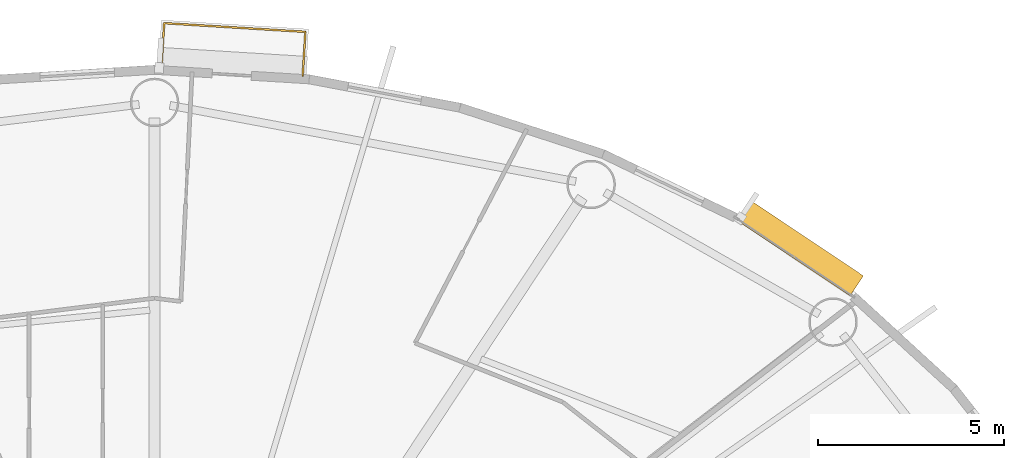
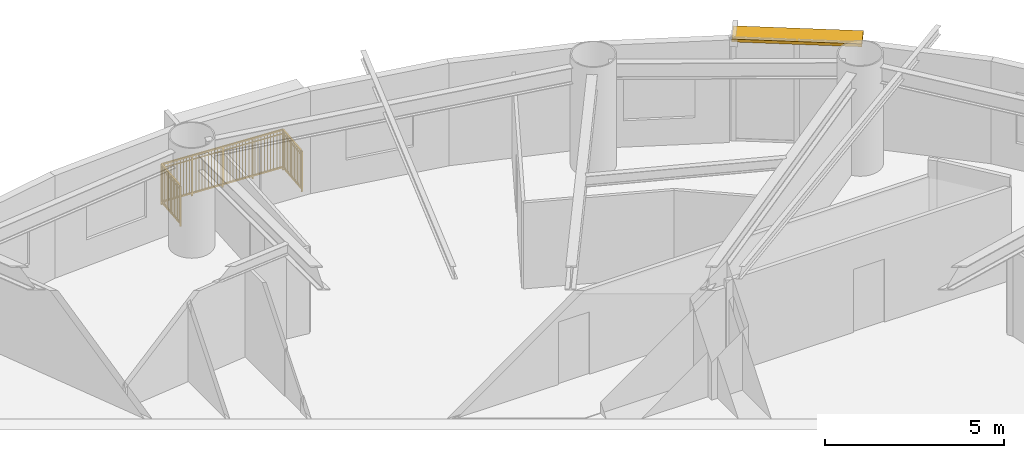
# One storey, part 18 of 18: 1 railing, 1 shading device.
"""IFC4 building model written with IfcOpenShell, lengths in metres."""

from ifc_helpers import new_model, si_unit, direction, frame, origin, origin_2d, place, context, subcontext, project, spatial, rectangle, extrude, source, transform, mapped, material, layer, layer_set, type_object, element, save


model = new_model("IFC4")

# Units and contexts
model_context = context("Model", 3, precision=1e-05, world=origin(), true_north=direction((0.0, 1.0)))
body_context = subcontext(model_context, "Body", "Model", "MODEL_VIEW")
ifc_project = project(units=[si_unit("LENGTHUNIT", "METRE"), si_unit("AREAUNIT", "SQUARE_METRE"), si_unit("VOLUMEUNIT", "CUBIC_METRE"), si_unit("PLANEANGLEUNIT", "RADIAN"), si_unit("MASSUNIT", "GRAM", prefix="KILO")], contexts=[model_context])

# Site, building, storey
site_placement = place(None, origin())
site = spatial("IfcSite", under=ifc_project, at=site_placement, CompositionType="ELEMENT")
building_placement = place(site_placement, origin())
building = spatial("IfcBuilding", under=site, at=building_placement, Name="Linh Dai School and Residence Tower", CompositionType="ELEMENT")
storey_placement = place(building_placement, frame((0.0, 0.0, 186.14990234375)))
storey = spatial("IfcBuildingStorey", under=building, at=storey_placement, Name="L45", CompositionType="ELEMENT", Elevation=186.14990234375)

# Shading device
ifc_material_1 = material(Name="Terracotta Ceramic Sunshade", Category="masonry")
ifc_layer = layer(ifc_material_1, 0.10009765625)
ifc_layer_set = layer_set([ifc_layer], Name="Terracotta Ceramic Sunshade")
shading_device_type = type_object("IfcShadingDeviceType", Name="SHD-TC-650", PredefinedType="USERDEFINED", material=ifc_layer_set)
shared_shape_1 = source(origin(), body_context, "Body", "SweptSolid", [
    extrude(rectangle(XDim=3.64794921875, YDim=0.64990234375, at=origin_2d()), origin(), (0.0, 0.0, 1.0), 0.10009765625),
])
shading_device_placement = place(storey_placement, frame((53.31103515625, 42.923828125, 3.380126953125), z_axis=(0.0, 0.0, 1.0), x_axis=(0.831228338651, -0.555931154932, 0.0)))
element("IfcShadingDevice", 1, at=shading_device_placement, inside=storey, type_object=shading_device_type, Name="L45 Terracotta Horizontal Sunshade Band 06", ObjectType="SUNSHADE", PredefinedType="USERDEFINED", context=body_context, shape_type="MappedRepresentation", body=[
    mapped(shared_shape_1, transform((0.0, 0.0, 0.0), x_axis=(1.0, 0.0, 0.0), y_axis=(0.0, 1.0, 0.0), z_axis=(0.0, 0.0, 1.0), scale=1.0)),
])

# Railing
ifc_material_2 = material(Name="Structural Steel S355JR", Category="steel")
railing_type = type_object("IfcRailingType", Name="RL-BAL-1400", PredefinedType="BALUSTRADE", material=ifc_material_2)
shared_shape_2 = source(origin(), body_context, "Body", "SweptSolid", [
    extrude(rectangle(XDim=0.048095703125, YDim=0.048095703125, at=origin_2d()), frame((0.0, 0.0, 1.3759765625), z_axis=(0.061656929038, 0.99809740161, 0.0), x_axis=(-0.99809740161, 0.061656929038, 0.0)), (0.0, 0.0, 1.0), 1.179931640625),
    extrude(rectangle(XDim=0.048095703125, YDim=0.048095703125, at=origin_2d()), frame((0.0, 0.0, 0.10009765625), z_axis=(0.061656929038, 0.99809740161, 0.0), x_axis=(-0.99809740161, 0.061656929038, 0.0)), (0.0, 0.0, 1.0), 1.179931640625),
    extrude(rectangle(XDim=0.030029296875, YDim=0.030029296875, at=origin_2d()), frame((0.0, 0.0, 1.239990234375), z_axis=(0.061656929038, 0.99809740161, 0.0), x_axis=(-0.99809740161, 0.061656929038, 0.0)), (0.0, 0.0, 1.0), 1.179931640625),
    extrude(rectangle(XDim=0.02001953125, YDim=0.02001953125, at=origin_2d()), frame((0.005615234375, 0.090576171875, 0.10009765625)), (0.0, 0.0, 1.0), 1.251708984375),
    extrude(rectangle(XDim=0.02001953125, YDim=0.02001953125, at=origin_2d()), frame((0.01123046875, 0.18115234375, 0.10009765625)), (0.0, 0.0, 1.0), 1.251708984375),
    extrude(rectangle(XDim=0.02001953125, YDim=0.02001953125, at=origin_2d()), frame((0.016845703125, 0.271728515625, 0.10009765625)), (0.0, 0.0, 1.0), 1.251708984375),
    extrude(rectangle(XDim=0.02001953125, YDim=0.02001953125, at=origin_2d()), frame((0.0224609375, 0.3623046875, 0.10009765625)), (0.0, 0.0, 1.0), 1.251708984375),
    extrude(rectangle(XDim=0.02001953125, YDim=0.02001953125, at=origin_2d()), frame((0.028076171875, 0.452880859375, 0.10009765625)), (0.0, 0.0, 1.0), 1.251708984375),
    extrude(rectangle(XDim=0.02001953125, YDim=0.02001953125, at=origin_2d()), frame((0.03369140625, 0.54345703125, 0.10009765625)), (0.0, 0.0, 1.0), 1.251708984375),
    extrude(rectangle(XDim=0.02001953125, YDim=0.02001953125, at=origin_2d()), frame((0.0390625, 0.63427734375, 0.10009765625)), (0.0, 0.0, 1.0), 1.251708984375),
    extrude(rectangle(XDim=0.02001953125, YDim=0.02001953125, at=origin_2d()), frame((0.044677734375, 0.724853515625, 0.10009765625)), (0.0, 0.0, 1.0), 1.251708984375),
    extrude(rectangle(XDim=0.02001953125, YDim=0.02001953125, at=origin_2d()), frame((0.05029296875, 0.8154296875, 0.10009765625)), (0.0, 0.0, 1.0), 1.251708984375),
    extrude(rectangle(XDim=0.02001953125, YDim=0.02001953125, at=origin_2d()), frame((0.055908203125, 0.906005859375, 0.10009765625)), (0.0, 0.0, 1.0), 1.251708984375),
    extrude(rectangle(XDim=0.02001953125, YDim=0.02001953125, at=origin_2d()), frame((0.0615234375, 0.99658203125, 0.10009765625)), (0.0, 0.0, 1.0), 1.251708984375),
    extrude(rectangle(XDim=0.02001953125, YDim=0.02001953125, at=origin_2d()), frame((0.067138671875, 1.087158203125, 0.10009765625)), (0.0, 0.0, 1.0), 1.251708984375),
    extrude(rectangle(XDim=0.048095703125, YDim=0.048095703125, at=origin_2d()), frame((0.07275390625, 1.177734375, 1.3759765625), z_axis=(0.998105551914, -0.061524850579, 0.0), x_axis=(0.061524850579, 0.998105551914, 0.0)), (0.0, 0.0, 1.0), 3.79345703125),
    extrude(rectangle(XDim=0.048095703125, YDim=0.048095703125, at=origin_2d()), frame((0.07275390625, 1.177734375, 0.10009765625), z_axis=(0.998105551914, -0.061524850579, 0.0), x_axis=(0.061524850579, 0.998105551914, 0.0)), (0.0, 0.0, 1.0), 3.79345703125),
    extrude(rectangle(XDim=0.030029296875, YDim=0.030029296875, at=origin_2d()), frame((0.07275390625, 1.177734375, 1.239990234375), z_axis=(0.998105551914, -0.061524850579, 0.0), x_axis=(0.061524850579, 0.998105551914, 0.0)), (0.0, 0.0, 1.0), 3.79345703125),
    extrude(rectangle(XDim=0.02001953125, YDim=0.02001953125, at=origin_2d()), frame((0.169921875, 1.171630859375, 0.10009765625)), (0.0, 0.0, 1.0), 1.251708984375),
    extrude(rectangle(XDim=0.02001953125, YDim=0.02001953125, at=origin_2d()), frame((0.266845703125, 1.165771484375, 0.10009765625)), (0.0, 0.0, 1.0), 1.251708984375),
    extrude(rectangle(XDim=0.02001953125, YDim=0.02001953125, at=origin_2d()), frame((0.364013671875, 1.15966796875, 0.10009765625)), (0.0, 0.0, 1.0), 1.251708984375),
    extrude(rectangle(XDim=0.02001953125, YDim=0.02001953125, at=origin_2d()), frame((0.461181640625, 1.15380859375, 0.10009765625)), (0.0, 0.0, 1.0), 1.251708984375),
    extrude(rectangle(XDim=0.02001953125, YDim=0.02001953125, at=origin_2d()), frame((0.55810546875, 1.147705078125, 0.10009765625)), (0.0, 0.0, 1.0), 1.251708984375),
    extrude(rectangle(XDim=0.02001953125, YDim=0.02001953125, at=origin_2d()), frame((0.6552734375, 1.141845703125, 0.10009765625)), (0.0, 0.0, 1.0), 1.251708984375),
    extrude(rectangle(XDim=0.02001953125, YDim=0.02001953125, at=origin_2d()), frame((0.75244140625, 1.1357421875, 0.10009765625)), (0.0, 0.0, 1.0), 1.251708984375),
    extrude(rectangle(XDim=0.02001953125, YDim=0.02001953125, at=origin_2d()), frame((0.849365234375, 1.1298828125, 0.10009765625)), (0.0, 0.0, 1.0), 1.251708984375),
    extrude(rectangle(XDim=0.02001953125, YDim=0.02001953125, at=origin_2d()), frame((0.946533203125, 1.123779296875, 0.10009765625)), (0.0, 0.0, 1.0), 1.251708984375),
    extrude(rectangle(XDim=0.02001953125, YDim=0.02001953125, at=origin_2d()), frame((1.140625, 1.11181640625, 0.10009765625)), (0.0, 0.0, 1.0), 1.251708984375),
    extrude(rectangle(XDim=0.02001953125, YDim=0.02001953125, at=origin_2d()), frame((1.23779296875, 1.10595703125, 0.10009765625)), (0.0, 0.0, 1.0), 1.251708984375),
    extrude(rectangle(XDim=0.02001953125, YDim=0.02001953125, at=origin_2d()), frame((1.3349609375, 1.099853515625, 0.10009765625)), (0.0, 0.0, 1.0), 1.251708984375),
    extrude(rectangle(XDim=0.02001953125, YDim=0.02001953125, at=origin_2d()), frame((1.431884765625, 1.093994140625, 0.10009765625)), (0.0, 0.0, 1.0), 1.251708984375),
    extrude(rectangle(XDim=0.02001953125, YDim=0.02001953125, at=origin_2d()), frame((1.529052734375, 1.087890625, 0.10009765625)), (0.0, 0.0, 1.0), 1.251708984375),
    extrude(rectangle(XDim=0.02001953125, YDim=0.02001953125, at=origin_2d()), frame((1.626220703125, 1.08203125, 0.10009765625)), (0.0, 0.0, 1.0), 1.251708984375),
    extrude(rectangle(XDim=0.02001953125, YDim=0.02001953125, at=origin_2d()), frame((1.72314453125, 1.075927734375, 0.10009765625)), (0.0, 0.0, 1.0), 1.251708984375),
    extrude(rectangle(XDim=0.02001953125, YDim=0.02001953125, at=origin_2d()), frame((1.8203125, 1.070068359375, 0.10009765625)), (0.0, 0.0, 1.0), 1.251708984375),
    extrude(rectangle(XDim=0.02001953125, YDim=0.02001953125, at=origin_2d()), frame((1.91748046875, 1.06396484375, 0.10009765625)), (0.0, 0.0, 1.0), 1.251708984375),
    extrude(rectangle(XDim=0.02001953125, YDim=0.02001953125, at=origin_2d()), frame((2.014404296875, 1.05810546875, 0.10009765625)), (0.0, 0.0, 1.0), 1.251708984375),
    extrude(rectangle(XDim=0.02001953125, YDim=0.02001953125, at=origin_2d()), frame((2.111572265625, 1.052001953125, 0.10009765625)), (0.0, 0.0, 1.0), 1.251708984375),
    extrude(rectangle(XDim=0.02001953125, YDim=0.02001953125, at=origin_2d()), frame((2.208740234375, 1.046142578125, 0.10009765625)), (0.0, 0.0, 1.0), 1.251708984375),
    extrude(rectangle(XDim=0.02001953125, YDim=0.02001953125, at=origin_2d()), frame((2.3056640625, 1.0400390625, 0.10009765625)), (0.0, 0.0, 1.0), 1.251708984375),
    extrude(rectangle(XDim=0.02001953125, YDim=0.02001953125, at=origin_2d()), frame((2.40283203125, 1.0341796875, 0.10009765625)), (0.0, 0.0, 1.0), 1.251708984375),
    extrude(rectangle(XDim=0.02001953125, YDim=0.02001953125, at=origin_2d()), frame((2.5, 1.028076171875, 0.10009765625)), (0.0, 0.0, 1.0), 1.251708984375),
    extrude(rectangle(XDim=0.02001953125, YDim=0.02001953125, at=origin_2d()), frame((2.596923828125, 1.022216796875, 0.10009765625)), (0.0, 0.0, 1.0), 1.251708984375),
    extrude(rectangle(XDim=0.02001953125, YDim=0.02001953125, at=origin_2d()), frame((2.694091796875, 1.01611328125, 0.10009765625)), (0.0, 0.0, 1.0), 1.251708984375),
    extrude(rectangle(XDim=0.02001953125, YDim=0.02001953125, at=origin_2d()), frame((2.791259765625, 1.01025390625, 0.10009765625)), (0.0, 0.0, 1.0), 1.251708984375),
    extrude(rectangle(XDim=0.02001953125, YDim=0.02001953125, at=origin_2d()), frame((2.9853515625, 0.998291015625, 0.10009765625)), (0.0, 0.0, 1.0), 1.251708984375),
    extrude(rectangle(XDim=0.02001953125, YDim=0.02001953125, at=origin_2d()), frame((3.08251953125, 0.9921875, 0.10009765625)), (0.0, 0.0, 1.0), 1.251708984375),
    extrude(rectangle(XDim=0.02001953125, YDim=0.02001953125, at=origin_2d()), frame((3.179443359375, 0.986328125, 0.10009765625)), (0.0, 0.0, 1.0), 1.251708984375),
    extrude(rectangle(XDim=0.02001953125, YDim=0.02001953125, at=origin_2d()), frame((3.276611328125, 0.980224609375, 0.10009765625)), (0.0, 0.0, 1.0), 1.251708984375),
    extrude(rectangle(XDim=0.02001953125, YDim=0.02001953125, at=origin_2d()), frame((3.373779296875, 0.974365234375, 0.10009765625)), (0.0, 0.0, 1.0), 1.251708984375),
    extrude(rectangle(XDim=0.02001953125, YDim=0.02001953125, at=origin_2d()), frame((3.470703125, 0.96826171875, 0.10009765625)), (0.0, 0.0, 1.0), 1.251708984375),
    extrude(rectangle(XDim=0.02001953125, YDim=0.02001953125, at=origin_2d()), frame((3.56787109375, 0.96240234375, 0.10009765625)), (0.0, 0.0, 1.0), 1.251708984375),
    extrude(rectangle(XDim=0.02001953125, YDim=0.02001953125, at=origin_2d()), frame((3.6650390625, 0.956298828125, 0.10009765625)), (0.0, 0.0, 1.0), 1.251708984375),
    extrude(rectangle(XDim=0.02001953125, YDim=0.02001953125, at=origin_2d()), frame((3.761962890625, 0.950439453125, 0.10009765625)), (0.0, 0.0, 1.0), 1.251708984375),
    extrude(rectangle(XDim=0.048095703125, YDim=0.048095703125, at=origin_2d()), frame((3.859130859375, 0.9443359375, 1.3759765625), z_axis=(-0.061450809207, -0.998110113188, 0.0), x_axis=(0.998110113188, -0.061450809207, 0.0)), (0.0, 0.0, 1.0), 1.179931640625),
    extrude(rectangle(XDim=0.048095703125, YDim=0.048095703125, at=origin_2d()), frame((3.859130859375, 0.9443359375, 0.10009765625), z_axis=(-0.061450809207, -0.998110113188, 0.0), x_axis=(0.998110113188, -0.061450809207, 0.0)), (0.0, 0.0, 1.0), 1.179931640625),
    extrude(rectangle(XDim=0.030029296875, YDim=0.030029296875, at=origin_2d()), frame((3.859130859375, 0.9443359375, 1.239990234375), z_axis=(-0.061450809207, -0.998110113188, 0.0), x_axis=(0.998110113188, -0.061450809207, 0.0)), (0.0, 0.0, 1.0), 1.179931640625),
    extrude(rectangle(XDim=0.02001953125, YDim=0.02001953125, at=origin_2d()), frame((3.853515625, 0.853759765625, 0.10009765625)), (0.0, 0.0, 1.0), 1.251708984375),
    extrude(rectangle(XDim=0.02001953125, YDim=0.02001953125, at=origin_2d()), frame((3.847900390625, 0.76318359375, 0.10009765625)), (0.0, 0.0, 1.0), 1.251708984375),
    extrude(rectangle(XDim=0.02001953125, YDim=0.02001953125, at=origin_2d()), frame((3.84228515625, 0.672607421875, 0.10009765625)), (0.0, 0.0, 1.0), 1.251708984375),
    extrude(rectangle(XDim=0.02001953125, YDim=0.02001953125, at=origin_2d()), frame((3.8369140625, 0.58203125, 0.10009765625)), (0.0, 0.0, 1.0), 1.251708984375),
    extrude(rectangle(XDim=0.02001953125, YDim=0.02001953125, at=origin_2d()), frame((3.831298828125, 0.491455078125, 0.10009765625)), (0.0, 0.0, 1.0), 1.251708984375),
    extrude(rectangle(XDim=0.02001953125, YDim=0.02001953125, at=origin_2d()), frame((3.82568359375, 0.40087890625, 0.10009765625)), (0.0, 0.0, 1.0), 1.251708984375),
    extrude(rectangle(XDim=0.02001953125, YDim=0.02001953125, at=origin_2d()), frame((3.820068359375, 0.31005859375, 0.10009765625)), (0.0, 0.0, 1.0), 1.251708984375),
    extrude(rectangle(XDim=0.02001953125, YDim=0.02001953125, at=origin_2d()), frame((3.814453125, 0.219482421875, 0.10009765625)), (0.0, 0.0, 1.0), 1.251708984375),
    extrude(rectangle(XDim=0.02001953125, YDim=0.02001953125, at=origin_2d()), frame((3.808837890625, 0.12890625, 0.10009765625)), (0.0, 0.0, 1.0), 1.251708984375),
    extrude(rectangle(XDim=0.02001953125, YDim=0.02001953125, at=origin_2d()), frame((3.803466796875, 0.038330078125, 0.10009765625)), (0.0, 0.0, 1.0), 1.251708984375),
    extrude(rectangle(XDim=0.02001953125, YDim=0.02001953125, at=origin_2d()), frame((3.7978515625, -0.05224609375, 0.10009765625)), (0.0, 0.0, 1.0), 1.251708984375),
    extrude(rectangle(XDim=0.02001953125, YDim=0.02001953125, at=origin_2d()), frame((3.792236328125, -0.142822265625, 0.10009765625)), (0.0, 0.0, 1.0), 1.251708984375),
    extrude(rectangle(XDim=0.0419921875, YDim=0.0419921875, at=origin_2d()), origin(), (0.0, 0.0, 1.0), 1.3759765625),
    extrude(rectangle(XDim=0.0419921875, YDim=0.0419921875, at=origin_2d()), frame((0.07275390625, 1.177734375, 0.0)), (0.0, 0.0, 1.0), 1.3759765625),
    extrude(rectangle(XDim=0.0419921875, YDim=0.0419921875, at=origin_2d()), frame((1.019287109375, 1.119384765625, 0.0)), (0.0, 0.0, 1.0), 1.3759765625),
    extrude(rectangle(XDim=0.0419921875, YDim=0.0419921875, at=origin_2d()), frame((1.9658203125, 1.06103515625, 0.0)), (0.0, 0.0, 1.0), 1.3759765625),
    extrude(rectangle(XDim=0.0419921875, YDim=0.0419921875, at=origin_2d()), frame((2.91259765625, 1.002685546875, 0.0)), (0.0, 0.0, 1.0), 1.3759765625),
    extrude(rectangle(XDim=0.0419921875, YDim=0.0419921875, at=origin_2d()), frame((3.859130859375, 0.9443359375, 0.0)), (0.0, 0.0, 1.0), 1.3759765625),
    extrude(rectangle(XDim=0.0419921875, YDim=0.0419921875, at=origin_2d()), frame((3.78662109375, -0.2333984375, 0.0)), (0.0, 0.0, 1.0), 1.3759765625),
])
railing_placement = place(storey_placement, frame((36.184814453125, 47.77880859375, 0.0)))
element("IfcRailing", 2, at=railing_placement, inside=storey, type_object=railing_type, Name="L45 Balcony Safety Balustrade 10", PredefinedType="BALUSTRADE", context=body_context, shape_type="MappedRepresentation", body=[
    mapped(shared_shape_2, transform((0.0, 0.0, 0.0), x_axis=(1.0, 0.0, 0.0), y_axis=(0.0, 1.0, 0.0), z_axis=(0.0, 0.0, 1.0), scale=1.0)),
])

save(model, "model.ifc")
